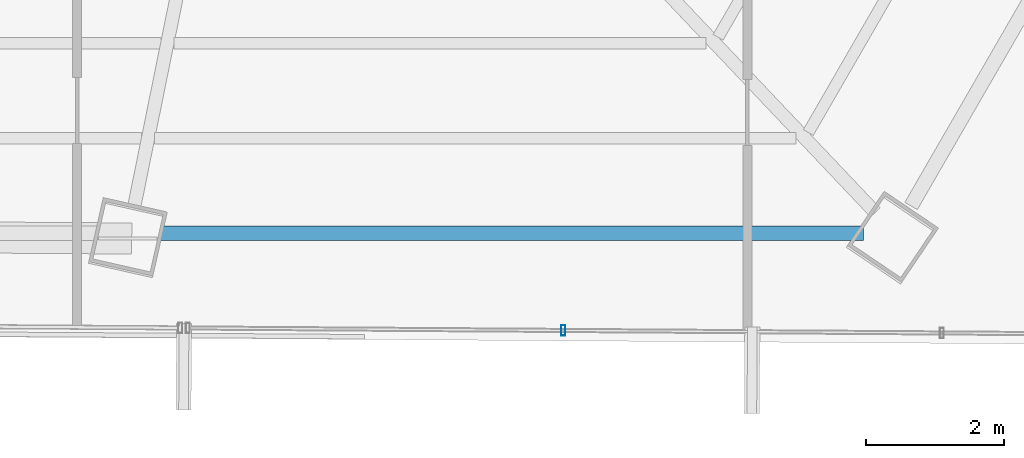
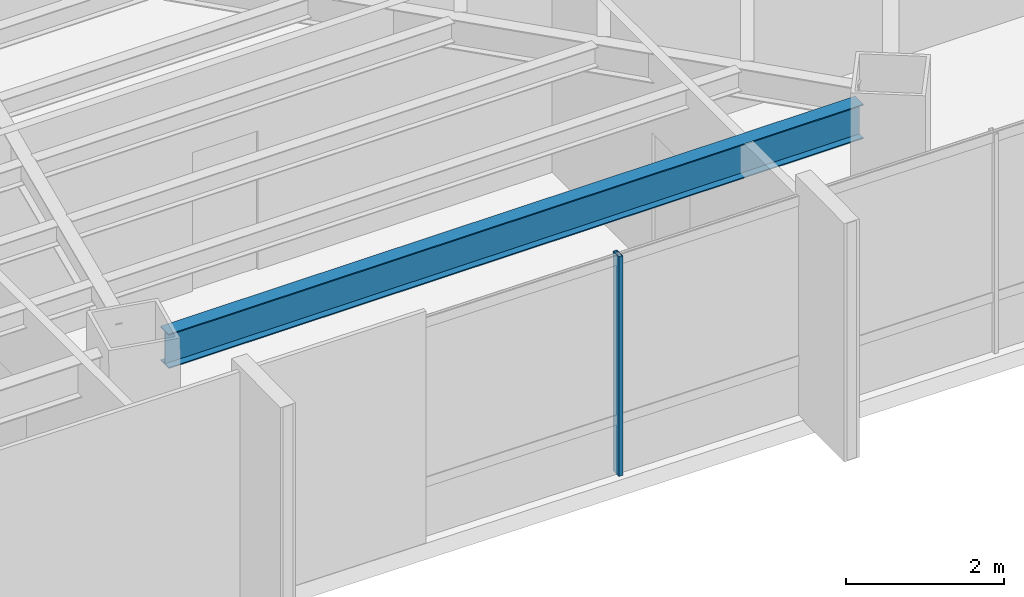
# One storey, part 17 of 41: 1 beam, 1 member, 1 element without a shape of its own.
"""IFC4 building model written with IfcOpenShell, lengths in metres."""

import ifcopenshell
import ifcopenshell.guid

model = None  # the IFC model being written
_history = None  # IfcOwnerHistory: only IFC2X3 demands one
_inside = {}  # id of a spatial element -> (the spatial element, [elements in it])
_under = {}  # id of a project, library or spatial element -> (it, [spatial elements below it])
_declared = {}  # id of a project -> (the project, [libraries it declares])
_typed = {}  # id of a type object -> (the type object, [elements of that type])
_made_of = {}  # id of a material, layer set ... -> (it, [elements and type objects made of it])


def new_model(schema):
    """Start an empty IFC model of exactly this schema.

    Asked for "IFC4X3", IfcOpenShell would pick the latest addendum, in which some entities
    have other attributes; the version numbers below select the first issue.
    IFC2X3 requires an IfcOwnerHistory on every rooted entity: one is made here for all.
    """
    global model, _history
    if schema == "IFC4X3":
        model = ifcopenshell.file(schema_version=(4, 3, 0, 0))
    else:
        model = ifcopenshell.file(schema=schema)
    _inside.clear()
    _under.clear()
    _declared.clear()
    _typed.clear()
    _made_of.clear()
    _history = None
    if model.schema == "IFC2X3":
        org = make("IfcOrganization", Name="unknown")
        user = make(
            "IfcPersonAndOrganization",
            ThePerson=make("IfcPerson", FamilyName="unknown"),
            TheOrganization=org,
        )
        app = make(
            "IfcApplication",
            ApplicationDeveloper=org,
            Version="unknown",
            ApplicationFullName="unknown",
            ApplicationIdentifier="unknown",
        )
        _history = make(
            "IfcOwnerHistory",
            OwningUser=user,
            OwningApplication=app,
            ChangeAction="ADDED",
            CreationDate=0,
        )
    return model


def make(cls, **values):
    """One entity of the class cls with the attributes given. An attribute that is None is left unset."""
    return model.create_entity(
        cls, **{name: value for name, value in values.items() if value is not None}
    )


def rooted(cls, **values):
    """An entity with a GlobalId (a new one), such as an element, a storey or a relation."""
    return make(cls, GlobalId=ifcopenshell.guid.new(), OwnerHistory=_history, **values)


def si_unit(unit_type, name, prefix=None):
    """IfcSIUnit, for example si_unit("LENGTHUNIT", "METRE", prefix="MILLI")."""
    return make("IfcSIUnit", UnitType=unit_type, Prefix=prefix, Name=name)


def assignment(units):
    """IfcUnitAssignment: the units of a project."""
    return None if units is None else make("IfcUnitAssignment", Units=units)


def point(xyz):
    """IfcCartesianPoint."""
    return None if xyz is None else make("IfcCartesianPoint", Coordinates=xyz)


def direction(xyz):
    """IfcDirection."""
    return None if xyz is None else make("IfcDirection", DirectionRatios=xyz)


def frame(location, z_axis=None, x_axis=None):
    """IfcAxis2Placement3D, a coordinate frame: its origin and axes. An axis left out is left unset."""
    return make(
        "IfcAxis2Placement3D",
        Location=point(location),
        Axis=direction(z_axis),
        RefDirection=direction(x_axis),
    )


def frame_2d(location, x_axis=None):
    """IfcAxis2Placement2D, a coordinate frame in the plane: its origin and x axis."""
    return make(
        "IfcAxis2Placement2D", Location=point(location), RefDirection=direction(x_axis)
    )


def origin():
    """The frame at (0, 0, 0) with its axes left unset."""
    return frame((0.0, 0.0, 0.0))


def origin_2d():
    """The frame at (0, 0) in the plane with its x axis left unset."""
    return frame_2d((0.0, 0.0))


def place(relative_to, where):
    """IfcLocalPlacement: puts the frame where relative to a parent placement (None: the world)."""
    return make(
        "IfcLocalPlacement", PlacementRelTo=relative_to, RelativePlacement=where
    )


def context(
    kind, dimensions, precision=None, world=None, true_north=None, identifier=None
):
    """IfcGeometricRepresentationContext, for example the 3D "Model" context."""
    return make(
        "IfcGeometricRepresentationContext",
        ContextIdentifier=identifier,
        ContextType=kind,
        CoordinateSpaceDimension=dimensions,
        Precision=precision,
        WorldCoordinateSystem=world,
        TrueNorth=true_north,
    )


def subcontext(parent, identifier, kind, view, scale=None):
    """IfcGeometricRepresentationSubContext, for example "Body" below "Model"."""
    return make(
        "IfcGeometricRepresentationSubContext",
        ContextIdentifier=identifier,
        ContextType=kind,
        ParentContext=parent,
        TargetScale=scale,
        TargetView=view,
    )


def project(units=None, contexts=None):
    """IfcProject with its units and contexts."""
    return rooted(
        "IfcProject",
        Name="project",
        RepresentationContexts=contexts,
        UnitsInContext=assignment(units),
    )


def spatial(cls, under=None, at=None, **own):
    """A site, building, storey or space (cls), placed at a placement, below another one or the project."""
    s = rooted(cls, ObjectPlacement=at, **own)
    if under is not None:
        _under.setdefault(under.id(), (under, []))[1].append(s)
    return s


def profile(cls, at=None, kind="AREA", **sizes):
    """A parametric profile (cls). Its sizes go by their IFC names, for example OverallWidth=200.0."""
    return make(cls, ProfileType=kind, Position=at, **sizes)


def hollow_rectangle(**sizes):
    """IfcRectangleHollowProfileDef."""
    return profile("IfcRectangleHollowProfileDef", **sizes)


def i_section(**sizes):
    """IfcIShapeProfileDef."""
    return profile("IfcIShapeProfileDef", **sizes)


def extrude(swept, where, along, depth):
    """IfcExtrudedAreaSolid: the profile swept, set in the frame where, extruded along a direction by depth."""
    return make(
        "IfcExtrudedAreaSolid",
        SweptArea=swept,
        Position=where,
        ExtrudedDirection=direction(along),
        Depth=depth,
    )


def shape(context_of_items, identifier, shape_type, items):
    """IfcShapeRepresentation: the items that make up one representation, for example the "Body"."""
    return make(
        "IfcShapeRepresentation",
        ContextOfItems=context_of_items,
        RepresentationIdentifier=identifier,
        RepresentationType=shape_type,
        Items=items,
    )


def source(mapping_origin, context_of_items, identifier, shape_type, items):
    """IfcRepresentationMap: a shape defined once, which mapped items show again and again."""
    return make(
        "IfcRepresentationMap",
        MappingOrigin=mapping_origin,
        MappedRepresentation=shape(context_of_items, identifier, shape_type, items),
    )


def transform(
    local_origin,
    x_axis=None,
    y_axis=None,
    z_axis=None,
    scale=None,
    scale2=None,
    scale3=None,
    uniform=True,
):
    """IfcCartesianTransformationOperator3D, or its non-uniform kind. x_axis, y_axis, z_axis: its Axis1, 2, 3."""
    if uniform:
        return make(
            "IfcCartesianTransformationOperator3D",
            Axis1=direction(x_axis),
            Axis2=direction(y_axis),
            LocalOrigin=point(local_origin),
            Scale=scale,
            Axis3=direction(z_axis),
        )
    return make(
        "IfcCartesianTransformationOperator3DnonUniform",
        Axis1=direction(x_axis),
        Axis2=direction(y_axis),
        LocalOrigin=point(local_origin),
        Scale=scale,
        Axis3=direction(z_axis),
        Scale2=scale2,
        Scale3=scale3,
    )


def mapped(mapping_source, mapping_target):
    """IfcMappedItem: shows the shape of a source again, moved by a transform."""
    return make(
        "IfcMappedItem", MappingSource=mapping_source, MappingTarget=mapping_target
    )


def material(Name=None, Category=None):
    """IfcMaterial."""
    return make("IfcMaterial", Name=Name, Category=Category)


def material_profile(
    of_material, cross_section, Name=None, Category=None, Priority=None
):
    """IfcMaterialProfile: a cross section and its material."""
    return make(
        "IfcMaterialProfile",
        Name=Name,
        Material=of_material,
        Profile=cross_section,
        Priority=Priority,
        Category=Category,
    )


def profile_set(profiles, Name=None, composite=None):
    """IfcMaterialProfileSet."""
    return make(
        "IfcMaterialProfileSet",
        Name=Name,
        MaterialProfiles=profiles,
        CompositeProfile=composite,
    )


def made_of(thing, what):
    """Note that an element or type object is made of a material, layer set ...; save() writes the relation."""
    if what is not None:
        _made_of.setdefault(what.id(), (what, []))[1].append(thing)
    return thing


def type_object(cls, material=None, **own):
    """A type object (cls), such as IfcWallType, which elements share."""
    return made_of(rooted(cls, **own), material)


def type_shapes(of_type, sources):
    """Give a type object the sources (RepresentationMaps) that its elements show as mapped items."""
    of_type.RepresentationMaps = sources


def element(
    cls,
    number,
    at=None,
    inside=None,
    cuts=None,
    type_object=None,
    material=None,
    context=None,
    identifier="Body",
    shape_type=None,
    held_by="IfcProductDefinitionShape",
    body=None,
    shapes=None,
    **own,
):
    """One element of the class cls, such as IfcWall. Its Tag is "e" and its number.

    at: its placement. inside: the storey or other place that contains it. cuts: it is an
    opening in that element (IfcRelVoidsElement). A single representation is given by context,
    identifier, shape_type and body (its items); several are given by shapes. held_by: the class
    of the entity that holds the representations. save() writes the other relations.
    """
    e = rooted(cls, Tag="e%d" % number, ObjectPlacement=at, **own)
    if body is not None:
        shapes = [shape(context, identifier, shape_type, body)]
    if shapes is not None:
        e.Representation = make(held_by, Representations=shapes)
    if inside is not None:
        _inside.setdefault(inside.id(), (inside, []))[1].append(e)
    if cuts is not None:
        rooted(
            "IfcRelVoidsElement", RelatingBuildingElement=cuts, RelatedOpeningElement=e
        )
    if type_object is not None:
        _typed.setdefault(type_object.id(), (type_object, []))[1].append(e)
    return made_of(e, material)


def aggregate(whole, parts):
    """IfcRelAggregates: a whole, such as a stair, and the parts it consists of."""
    return rooted("IfcRelAggregates", RelatingObject=whole, RelatedObjects=parts)


def save(model, path):
    """Write the relations noted so far, then the file.

    IfcRelAggregates (storeys below a building ...), IfcRelContainedInSpatialStructure (elements
    in a storey), IfcRelDefinesByType, IfcRelAssociatesMaterial and IfcRelDeclares: one each for
    every whole, place, type object, material and project.
    """
    for whole, parts in _under.values():
        aggregate(whole, parts)
    for where, things in _inside.values():
        rooted(
            "IfcRelContainedInSpatialStructure",
            RelatedElements=things,
            RelatingStructure=where,
        )
    for kind, things in _typed.values():
        rooted("IfcRelDefinesByType", RelatedObjects=things, RelatingType=kind)
    for what, things in _made_of.values():
        rooted("IfcRelAssociatesMaterial", RelatedObjects=things, RelatingMaterial=what)
    for by, libraries in _declared.values():
        rooted("IfcRelDeclares", RelatingContext=by, RelatedDefinitions=libraries)
    model.write(path)


model = new_model("IFC4")

# Units and contexts
model_context = context("Model", 3, precision=1e-05, world=origin(), true_north=direction((0.0, 1.0)))
body_context = subcontext(model_context, "Body", "Model", "MODEL_VIEW")
ifc_project = project(units=[si_unit("LENGTHUNIT", "METRE"), si_unit("AREAUNIT", "SQUARE_METRE"), si_unit("VOLUMEUNIT", "CUBIC_METRE"), si_unit("PLANEANGLEUNIT", "RADIAN"), si_unit("MASSUNIT", "GRAM", prefix="KILO")], contexts=[model_context])

# Site, building, storey
site_placement = place(None, origin())
site = spatial("IfcSite", under=ifc_project, at=site_placement, CompositionType="ELEMENT")
building_placement = place(site_placement, origin())
building = spatial("IfcBuilding", under=site, at=building_placement, Name="Caelisora Broadcast Tower", CompositionType="ELEMENT")
storey_placement = place(building_placement, frame((0.0, 0.0, 173.10009765625)))
storey = spatial("IfcBuildingStorey", under=building, at=storey_placement, Name="L45", CompositionType="ELEMENT", Elevation=173.10009765625)

# Beam
ifc_material_1 = material(Name="Steel Grade 350 (AS/NZS 3679.1)", Category="steel")
ifc_material_profile_1 = material_profile(ifc_material_1, i_section(OverallWidth=0.208984375, OverallDepth=0.532958984375, WebThickness=0.01025390625, FlangeThickness=0.015625, at=origin_2d()), Name="Steel Grade 350 (AS/NZS 3679.1)")
ifc_profile_set_1 = profile_set([ifc_material_profile_1], Name="Steel Grade 350 (AS/NZS 3679.1)")
beam_type = type_object("IfcBeamType", Name="PG05", PredefinedType="BEAM", material=ifc_profile_set_1)
shared_shape_1 = source(origin(), body_context, "Body", "SweptSolid", [
    extrude(i_section(OverallWidth=0.208984375, OverallDepth=0.532958984375, WebThickness=0.01025390625, FlangeThickness=0.015625, at=origin_2d()), origin(), (0.0, 0.0, 1.0), 10.174072265625),
])
type_shapes(beam_type, [shared_shape_1])
beam_placement = place(storey_placement, frame((44.007080078125, 7.75439453125, 3.13330078125), z_axis=(1.0, 0.0, 0.0), x_axis=(0.0, 1.0, 0.0)))
element("IfcBeam", 1, at=beam_placement, inside=storey, type_object=beam_type, Name="L45 beam PG05", PredefinedType="BEAM", context=body_context, shape_type="MappedRepresentation", body=[
    mapped(shared_shape_1, transform((0.0, 0.0, 0.0), scale=1.0)),
])

# Curtain wall, member
ifc_material_2 = material(Name="Unitised Aluminium and Low-E Glass Curtain Wall", Category="glass")
curtain_wall_type = type_object("IfcCurtainWallType", Name="CW-Z3", PredefinedType="NOTDEFINED", material=ifc_material_2)
curtain_wall_placement = place(storey_placement, origin())
curtain_wall = element("IfcCurtainWall", 2, at=curtain_wall_placement, inside=storey, type_object=curtain_wall_type, Name="L45 curtain wall CW-Z3", PredefinedType="NOTDEFINED")
ifc_material_3 = material(Name="Aluminium 6063-T6 Anodised Terracotta Bronze", Category="aluminium")
ifc_material_profile_2 = material_profile(ifc_material_3, hollow_rectangle(XDim=0.06005859375, YDim=0.14990234375, WallThickness=0.00341796875, at=origin_2d()), Name="Aluminium 6063-T6 Anodised Terracotta Bronze")
ifc_profile_set_2 = profile_set([ifc_material_profile_2], Name="Aluminium 6063-T6 Anodised Terracotta Bronze")
member_type = type_object("IfcMemberType", Name="CWM-03", PredefinedType="MULLION", material=ifc_profile_set_2)
shared_shape_2 = source(origin(), body_context, "Body", "SweptSolid", [
    extrude(hollow_rectangle(XDim=0.06005859375, YDim=0.14990234375, WallThickness=0.00341796875, at=origin_2d()), origin(), (0.0, 0.0, 1.0), 3.39990234375),
])
type_shapes(member_type, [shared_shape_2])
member_placement = place(storey_placement, frame((49.834716796875, 6.3505859375, 0.0), z_axis=(0.0, 0.0, 1.0), x_axis=(1.0, 0.0, 0.0)))
member = element("IfcMember", 3, at=member_placement, type_object=member_type, Name="L45-CW-B05 mullion #2", PredefinedType="MULLION", context=body_context, shape_type="MappedRepresentation", body=[
    mapped(shared_shape_2, transform((0.0, 0.0, 0.0), scale=1.0)),
])
aggregate(curtain_wall, [member])

save(model, "model.ifc")
